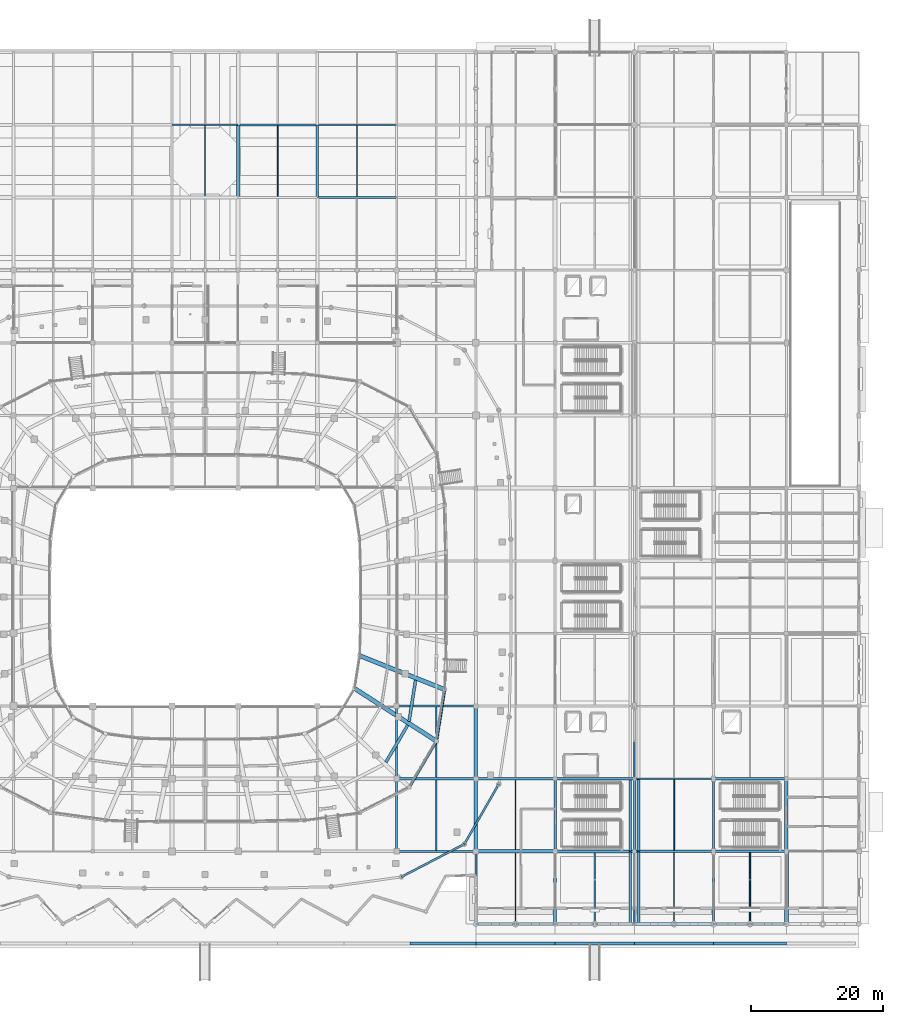
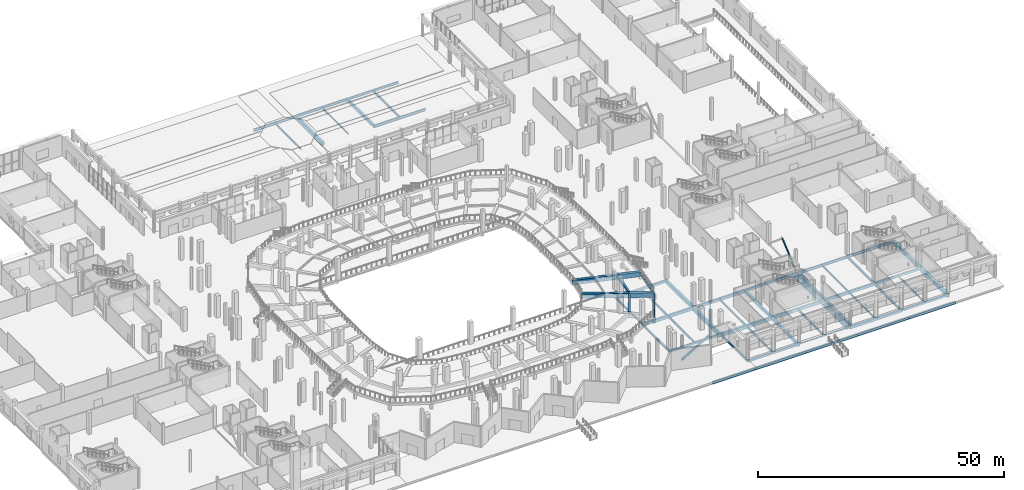
# One storey, part 30 of 120: 62 beams, 1 member.
"""IFC4 building model written with IfcOpenShell, lengths in metres."""

from ifc_helpers import new_model, si_unit, direction, frame, origin, origin_2d, place, context, subcontext, project, spatial, rectangle, hollow_rectangle, i_section, extrude, material, material_profile, profile_set, type_object, element, save


model = new_model("IFC4")

# Units and contexts
model_context = context("Model", 3, precision=1e-05, world=origin(), true_north=direction((0.0, 1.0)))
body_context = subcontext(model_context, "Body", "Model", "MODEL_VIEW")
ifc_project = project(units=[si_unit("LENGTHUNIT", "METRE"), si_unit("AREAUNIT", "SQUARE_METRE"), si_unit("VOLUMEUNIT", "CUBIC_METRE"), si_unit("PLANEANGLEUNIT", "RADIAN"), si_unit("MASSUNIT", "GRAM", prefix="KILO")], contexts=[model_context])

# Site, building, storey
site_placement = place(None, origin())
site = spatial("IfcSite", under=ifc_project, at=site_placement, CompositionType="ELEMENT")
building_placement = place(site_placement, origin())
building = spatial("IfcBuilding", under=site, at=building_placement, Name="Luwafu Chhajja Arena", CompositionType="ELEMENT")
storey_placement = place(building_placement, origin())
storey = spatial("IfcBuildingStorey", under=building, at=storey_placement, Name="L00", CompositionType="ELEMENT", Elevation=0.0)

# Beams
ifc_material_1 = material(Name="Concrete C35/45", Category="concrete")
ifc_material_profile_1 = material_profile(ifc_material_1, rectangle(XDim=0.35009765625, YDim=0.60009765625, at=origin_2d()), Name="RC 350x600")
ifc_profile_set_1 = profile_set([ifc_material_profile_1], Name="Concrete C35/45")
beam_type_1 = type_object("IfcBeamType", Name="Arcade Tie Beam RC 350x600", PredefinedType="BEAM", material=ifc_profile_set_1)
for number, where, z_axis, x_axis, name in (
    (1, (128.0, 33.0, -0.64990234375), (1.0, 0.0, 0.0), (0.0, 1.0, 0.0), "L00 Grid Beam 12-13/D"),
    (2, (152.0, 22.0, -0.64990234375), (1.0, 0.0, 0.0), (0.0, 1.0, 0.0), "L00 Grid Beam 14-15/C"),
):
    element("IfcBeam", number, at=place(storey_placement, frame(where, z_axis=z_axis, x_axis=x_axis)), inside=storey, type_object=beam_type_1, Name=name, PredefinedType="BEAM", context=body_context, shape_type="SweptSolid", body=[
        extrude(rectangle(XDim=0.35009765625, YDim=0.60009765625, at=origin_2d()), origin(), (0.0, 0.0, 1.0), 12.0),
    ])
beam_1_placement = place(storey_placement, frame((176.0, 11.0, -0.64990234375), z_axis=(1.0, 0.0, 0.0), x_axis=(0.0, 1.0, 0.0)))
element("IfcBeam", 3, at=beam_1_placement, inside=storey, type_object=beam_type_1, Name="L00 Grid Beam 16-17/B", PredefinedType="BEAM", context=body_context, shape_type="SweptSolid", body=[
    extrude(rectangle(XDim=0.35009765625, YDim=0.60009765625, at=origin_2d()), origin(), (0.0, 0.0, 1.0), 11.0),
])
ifc_material_2 = material(Name="Precast concrete C40/50", Category="concrete")
ifc_material_profile_2 = material_profile(ifc_material_2, rectangle(XDim=0.449951171875, YDim=0.64990234375, at=origin_2d()), Name="RC 450x650")
ifc_profile_set_2 = profile_set([ifc_material_profile_2], Name="Precast concrete C40/50")
beam_type_2 = type_object("IfcBeamType", Name="Bowl Tier Ring Beam RC 450x650", PredefinedType="BEAM", material=ifc_profile_set_2)
beam_2_placement = place(storey_placement, frame((126.371337890625, 24.496337890625, 1.304931640625), z_axis=(0.507802544164, 0.861473491258, 0.0), x_axis=(-0.861473491258, 0.507802544164, 0.0)))
element("IfcBeam", 4, at=beam_2_placement, inside=storey, type_object=beam_type_2, Name="Lower Tier Ring Beam S29-B3", PredefinedType="BEAM", context=body_context, shape_type="SweptSolid", body=[
    extrude(rectangle(XDim=0.449951171875, YDim=0.64990234375, at=origin_2d()), origin(), (0.0, 0.0, 1.0), 6.516357421875),
])
beam_3_placement = place(storey_placement, frame((129.8828125, 30.674072265625, 1.304931640625), z_axis=(0.155447556013, 0.987844146275, 0.0), x_axis=(-0.987844146275, 0.155447556013, 0.0)))
element("IfcBeam", 5, at=beam_3_placement, inside=storey, type_object=beam_type_2, Name="Lower Tier Ring Beam S30-B3", PredefinedType="BEAM", context=body_context, shape_type="SweptSolid", body=[
    extrude(rectangle(XDim=0.449951171875, YDim=0.64990234375, at=origin_2d()), origin(), (0.0, 0.0, 1.0), 6.329345703125),
])
ifc_material_3 = material(Name="Steel S355", Category="steel")
ifc_material_profile_3 = material_profile(ifc_material_3, i_section(OverallWidth=0.165771484375, OverallDepth=0.306640625, WebThickness=0.006591796875, FlangeThickness=0.01171875, at=origin_2d()), Name="UB 305x165x46")
ifc_profile_set_3 = profile_set([ifc_material_profile_3], Name="Steel S355")
beam_type_3 = type_object("IfcBeamType", Name="Concourse Edge Spandrel Beam UB 305x165x46", PredefinedType="SPANDREL", material=ifc_profile_set_3)
beam_4_placement = place(storey_placement, frame((152.0, 0.0, -0.50341796875), z_axis=(1.0, 0.0, 0.0), x_axis=(0.0, 1.0, 0.0)))
element("IfcBeam", 6, at=beam_4_placement, inside=storey, type_object=beam_type_3, Name="L00 Grid Beam 14-15/A", PredefinedType="SPANDREL", context=body_context, shape_type="SweptSolid", body=[
    extrude(i_section(OverallWidth=0.165771484375, OverallDepth=0.306640625, WebThickness=0.006591796875, FlangeThickness=0.01171875, at=origin_2d()), origin(), (0.0, 0.0, 1.0), 12.0),
])
ifc_material_profile_4 = material_profile(ifc_material_1, rectangle(XDim=0.60009765625, YDim=0.89990234375, at=origin_2d()), Name="RC 600x900")
ifc_profile_set_4 = profile_set([ifc_material_profile_4], Name="Concrete C35/45")
beam_type_4 = type_object("IfcBeamType", Name="Concourse Primary Girder RC 600x900", PredefinedType="BEAM", material=ifc_profile_set_4)
beam_5_placement = place(storey_placement, frame((187.0, 0.0, -0.800048828125), z_axis=(0.0, 1.0, 0.0), x_axis=(-1.0, 0.0, 0.0)))
element("IfcBeam", 7, at=beam_5_placement, inside=storey, type_object=beam_type_4, Name="L00 Grid Beam 17/A-B", PredefinedType="BEAM", context=body_context, shape_type="SweptSolid", body=[
    extrude(rectangle(XDim=0.60009765625, YDim=0.89990234375, at=origin_2d()), origin(), (0.0, 0.0, 1.0), 11.0),
])
ifc_material_profile_5 = material_profile(ifc_material_1, rectangle(XDim=0.550048828125, YDim=0.949951171875, at=origin_2d()), Name="RC 550x950")
ifc_profile_set_5 = profile_set([ifc_material_profile_5], Name="Concrete C35/45")
beam_type_5 = type_object("IfcBeamType", Name="Concourse Radial Girder RC 550x950", PredefinedType="BEAM", material=ifc_profile_set_5)
for number, where, z_axis, x_axis, name in (
    (8, (104.0, 110.0, -0.824951171875), (0.0, 1.0, 0.0), (-1.0, 0.0, 0.0), "L00 Grid Beam 10/L-M"),
    (9, (140.0, 11.0, -0.824951171875), (0.0, 1.0, 0.0), (-1.0, 0.0, 0.0), "L00 Grid Beam 13/B-C"),
    (10, (187.0, 11.0, -0.824951171875), (0.0, 1.0, 0.0), (-1.0, 0.0, 0.0), "L00 Grid Beam 17/B-C"),
):
    element("IfcBeam", number, at=place(storey_placement, frame(where, z_axis=z_axis, x_axis=x_axis)), inside=storey, type_object=beam_type_5, Name=name, PredefinedType="BEAM", context=body_context, shape_type="SweptSolid", body=[
        extrude(rectangle(XDim=0.550048828125, YDim=0.949951171875, at=origin_2d()), origin(), (0.0, 0.0, 1.0), 11.0),
    ])

# Member
ifc_material_profile_6 = material_profile(ifc_material_3, hollow_rectangle(XDim=0.25, YDim=0.25, WallThickness=0.011962890625, at=origin_2d()), Name="SHS 250x250x12")
ifc_profile_set_6 = profile_set([ifc_material_profile_6], Name="Steel S355")
member_type = type_object("IfcMemberType", Name="Core Frame Brace SHS 250", PredefinedType="BRACE", material=ifc_profile_set_6)
member_placement = place(storey_placement, frame((164.0, 22.0, 0.1201171875), z_axis=(0.0, 0.763656234515, 0.645623075398), x_axis=(-1.0, 0.0, 0.0)))
element("IfcMember", 11, at=member_placement, inside=storey, type_object=member_type, Name="L00 Lateral Chevron Brace 07A", PredefinedType="BRACE", context=body_context, shape_type="SweptSolid", body=[
    extrude(hollow_rectangle(XDim=0.25, YDim=0.25, WallThickness=0.011962890625, at=origin_2d()), origin(), (0.0, 0.0, 1.0), 7.2021484375),
])

# Beams
ifc_material_profile_7 = material_profile(ifc_material_3, i_section(OverallWidth=0.15283203125, OverallDepth=0.45458984375, WebThickness=0.008056640625, FlangeThickness=0.01318359375, at=origin_2d()), Name="UB 457x152x60")
ifc_profile_set_7 = profile_set([ifc_material_profile_7], Name="Steel S355")
beam_type_6 = type_object("IfcBeamType", Name="Floor Joist UB 457x152x60", PredefinedType="JOIST", material=ifc_profile_set_7)
beam_6_placement = place(storey_placement, frame((110.0, 110.175048828125, -0.577392578125), z_axis=(0.0, 1.0, 0.0), x_axis=(-1.0, 0.0, 0.0)))
element("IfcBeam", 12, at=beam_6_placement, inside=storey, type_object=beam_type_6, Name="L00 Secondary Joist 10-11/L", PredefinedType="JOIST", context=body_context, shape_type="SweptSolid", body=[
    extrude(i_section(OverallWidth=0.15283203125, OverallDepth=0.45458984375, WebThickness=0.008056640625, FlangeThickness=0.01318359375, at=origin_2d()), origin(), (0.0, 0.0, 1.0), 10.67138671875),
])
beam_7_placement = place(storey_placement, frame((170.0, 11.199951171875, -0.577392578125), z_axis=(0.0, 1.0, 0.0), x_axis=(-1.0, 0.0, 0.0)))
element("IfcBeam", 13, at=beam_7_placement, inside=storey, type_object=beam_type_6, Name="L00 Secondary Joist 15-16/B", PredefinedType="JOIST", context=body_context, shape_type="SweptSolid", body=[
    extrude(i_section(OverallWidth=0.15283203125, OverallDepth=0.45458984375, WebThickness=0.008056640625, FlangeThickness=0.01318359375, at=origin_2d()), origin(), (0.0, 0.0, 1.0), 10.673095703125),
])
beam_8_placement = place(storey_placement, frame((181.5, 0.14990234375, -0.577392578125), z_axis=(0.0, 1.0, 0.0), x_axis=(-1.0, 0.0, 0.0)))
element("IfcBeam", 14, at=beam_8_placement, inside=storey, type_object=beam_type_6, Name="L00 Secondary Joist 16-17/A", PredefinedType="JOIST", context=body_context, shape_type="SweptSolid", body=[
    extrude(i_section(OverallWidth=0.15283203125, OverallDepth=0.45458984375, WebThickness=0.008056640625, FlangeThickness=0.01318359375, at=origin_2d()), origin(), (0.0, 0.0, 1.0), 10.675048828125),
])
ifc_material_profile_8 = material_profile(ifc_material_3, i_section(OverallWidth=0.19140625, OverallDepth=0.4599609375, WebThickness=0.010009765625, FlangeThickness=0.01611328125, at=origin_2d()), Name="UB 457x191x82")
ifc_profile_set_8 = profile_set([ifc_material_profile_8], Name="Steel S355")
beam_type_7 = type_object("IfcBeamType", Name="Floor Joist UB 457x191x82", PredefinedType="JOIST", material=ifc_profile_set_8)
beam_9_placement = place(storey_placement, frame((99.0, 110.199951171875, -0.580078125), z_axis=(0.0, 1.0, 0.0), x_axis=(-1.0, 0.0, 0.0)))
element("IfcBeam", 15, at=beam_9_placement, inside=storey, type_object=beam_type_7, Name="L00 Secondary Joist 9-10/L", PredefinedType="JOIST", context=body_context, shape_type="SweptSolid", body=[
    extrude(i_section(OverallWidth=0.19140625, OverallDepth=0.4599609375, WebThickness=0.010009765625, FlangeThickness=0.01611328125, at=origin_2d()), origin(), (0.0, 0.0, 1.0), 10.673095703125),
])
beam_10_placement = place(storey_placement, frame((170.0, 0.199951171875, -0.580078125), z_axis=(0.0, 1.0, 0.0), x_axis=(-1.0, 0.0, 0.0)))
element("IfcBeam", 16, at=beam_10_placement, inside=storey, type_object=beam_type_7, Name="L00 Secondary Joist 15-16/A", PredefinedType="JOIST", context=body_context, shape_type="SweptSolid", body=[
    extrude(i_section(OverallWidth=0.19140625, OverallDepth=0.4599609375, WebThickness=0.010009765625, FlangeThickness=0.01611328125, at=origin_2d()), origin(), (0.0, 0.0, 1.0), 10.60009765625),
])
ifc_material_profile_9 = material_profile(ifc_material_3, i_section(OverallWidth=0.2099609375, OverallDepth=0.53662109375, WebThickness=0.0107421875, FlangeThickness=0.017333984375, at=origin_2d()), Name="UB 533x210x101")
ifc_profile_set_9 = profile_set([ifc_material_profile_9], Name="Steel S355")
beam_type_8 = type_object("IfcBeamType", Name="Floor Joist UB 533x210x101", PredefinedType="JOIST", material=ifc_profile_set_9)
beam_11_placement = place(storey_placement, frame((122.0, 110.126953125, -0.618408203125), z_axis=(0.0, 1.0, 0.0), x_axis=(-1.0, 0.0, 0.0)))
element("IfcBeam", 17, at=beam_11_placement, inside=storey, type_object=beam_type_8, Name="L00 Secondary Joist 11-12/L", PredefinedType="JOIST", context=body_context, shape_type="SweptSolid", body=[
    extrude(i_section(OverallWidth=0.2099609375, OverallDepth=0.53662109375, WebThickness=0.0107421875, FlangeThickness=0.017333984375, at=origin_2d()), origin(), (0.0, 0.0, 1.0), 10.758544921875),
])
beam_12_placement = place(storey_placement, frame((134.0, 11.14990234375, -0.618408203125), z_axis=(0.0, 1.0, 0.0), x_axis=(-1.0, 0.0, 0.0)))
element("IfcBeam", 18, at=beam_12_placement, inside=storey, type_object=beam_type_8, Name="L00 Secondary Joist 12-13/B", PredefinedType="JOIST", context=body_context, shape_type="SweptSolid", body=[
    extrude(i_section(OverallWidth=0.2099609375, OverallDepth=0.53662109375, WebThickness=0.0107421875, FlangeThickness=0.017333984375, at=origin_2d()), origin(), (0.0, 0.0, 1.0), 10.625),
])
beam_13_placement = place(storey_placement, frame((146.0, 0.14990234375, -0.618408203125), z_axis=(0.0, 1.0, 0.0), x_axis=(-1.0, 0.0, 0.0)))
element("IfcBeam", 19, at=beam_13_placement, inside=storey, type_object=beam_type_8, Name="L00 Secondary Joist 13-14/A", PredefinedType="JOIST", context=body_context, shape_type="SweptSolid", body=[
    extrude(i_section(OverallWidth=0.2099609375, OverallDepth=0.53662109375, WebThickness=0.0107421875, FlangeThickness=0.017333984375, at=origin_2d()), origin(), (0.0, 0.0, 1.0), 10.60009765625),
])
ifc_material_profile_10 = material_profile(ifc_material_3, i_section(OverallWidth=0.209228515625, OverallDepth=0.533203125, WebThickness=0.010009765625, FlangeThickness=0.015625, at=origin_2d()), Name="UB 533x210x92")
ifc_profile_set_10 = profile_set([ifc_material_profile_10], Name="Steel S355")
beam_type_9 = type_object("IfcBeamType", Name="Floor Joist UB 533x210x92", PredefinedType="JOIST", material=ifc_profile_set_10)
beam_14_placement = place(storey_placement, frame((134.0, 22.22509765625, -0.616455078125), z_axis=(0.0, 1.0, 0.0), x_axis=(-1.0, 0.0, 0.0)))
element("IfcBeam", 20, at=beam_14_placement, inside=storey, type_object=beam_type_9, Name="L00 Secondary Joist 12-13/C", PredefinedType="JOIST", context=body_context, shape_type="SweptSolid", body=[
    extrude(i_section(OverallWidth=0.209228515625, OverallDepth=0.533203125, WebThickness=0.010009765625, FlangeThickness=0.015625, at=origin_2d()), origin(), (0.0, 0.0, 1.0), 10.599853515625),
])
beam_15_placement = place(storey_placement, frame((146.0, 11.25, -0.616455078125), z_axis=(0.0, 1.0, 0.0), x_axis=(-1.0, 0.0, 0.0)))
element("IfcBeam", 21, at=beam_15_placement, inside=storey, type_object=beam_type_9, Name="L00 Secondary Joist 13-14/B", PredefinedType="JOIST", context=body_context, shape_type="SweptSolid", body=[
    extrude(i_section(OverallWidth=0.209228515625, OverallDepth=0.533203125, WebThickness=0.010009765625, FlangeThickness=0.015625, at=origin_2d()), origin(), (0.0, 0.0, 1.0), 10.550048828125),
])
beam_16_placement = place(storey_placement, frame((158.0, 0.082763671875, -0.616455078125), z_axis=(0.0, 1.0, 0.0), x_axis=(-1.0, 0.0, 0.0)))
element("IfcBeam", 22, at=beam_16_placement, inside=storey, type_object=beam_type_9, Name="L00 Secondary Joist 14-15/A", PredefinedType="JOIST", context=body_context, shape_type="SweptSolid", body=[
    extrude(i_section(OverallWidth=0.209228515625, OverallDepth=0.533203125, WebThickness=0.010009765625, FlangeThickness=0.015625, at=origin_2d()), origin(), (0.0, 0.0, 1.0), 10.692138671875),
])
ifc_material_profile_11 = material_profile(ifc_material_1, rectangle(XDim=0.5, YDim=0.800048828125, at=origin_2d()), Name="RC 500x800")
ifc_profile_set_11 = profile_set([ifc_material_profile_11], Name="Concrete C35/45")
beam_type_10 = type_object("IfcBeamType", Name="Hospitality Primary Beam RC 500x800", PredefinedType="BEAM", material=ifc_profile_set_11)
beam_17_placement = place(storey_placement, frame((140.0, 11.0, -0.75), z_axis=(1.0, 0.0, 0.0), x_axis=(0.0, 1.0, 0.0)))
element("IfcBeam", 23, at=beam_17_placement, inside=storey, type_object=beam_type_10, Name="L00 Grid Beam 13-14/B", PredefinedType="BEAM", context=body_context, shape_type="SweptSolid", body=[
    extrude(rectangle(XDim=0.5, YDim=0.800048828125, at=origin_2d()), origin(), (0.0, 0.0, 1.0), 12.0),
])
beam_18_placement = place(storey_placement, frame((140.0, 22.0, -0.75), z_axis=(0.0, 1.0, 0.0), x_axis=(-1.0, 0.0, 0.0)))
element("IfcBeam", 24, at=beam_18_placement, inside=storey, type_object=beam_type_10, Name="L00 Grid Beam 13/C-D", PredefinedType="BEAM", context=body_context, shape_type="SweptSolid", body=[
    extrude(rectangle(XDim=0.5, YDim=0.800048828125, at=origin_2d()), origin(), (0.0, 0.0, 1.0), 11.0),
])
ifc_material_profile_12 = material_profile(ifc_material_3, hollow_rectangle(XDim=0.300048828125, YDim=0.5, WallThickness=0.02001953125, at=origin_2d()), Name="RHS 500x300x20")
ifc_profile_set_12 = profile_set([ifc_material_profile_12], Name="Steel S355")
beam_type_11 = type_object("IfcBeamType", Name="Pleated Drum Spandrel Beam RHS 500x300", PredefinedType="SPANDREL", material=ifc_profile_set_12)
for number, where, z_axis, x_axis, name in (
    (25, (128.0, 11.0, -0.60009765625), (1.0, 0.0, 0.0), (0.0, 1.0, 0.0), "L00 Grid Beam 12-13/B"),
    (26, (140.0, 0.0, -0.60009765625), (1.0, 0.0, 0.0), (0.0, 1.0, 0.0), "L00 Grid Beam 13-14/A"),
):
    element("IfcBeam", number, at=place(storey_placement, frame(where, z_axis=z_axis, x_axis=x_axis)), inside=storey, type_object=beam_type_11, Name=name, PredefinedType="SPANDREL", context=body_context, shape_type="SweptSolid", body=[
        extrude(hollow_rectangle(XDim=0.300048828125, YDim=0.5, WallThickness=0.02001953125, at=origin_2d()), origin(), (0.0, 0.0, 1.0), 12.0),
    ])
for number, where, z_axis, x_axis, name in (
    (27, (176.0, 0.0, -0.60009765625), (1.0, 0.0, 0.0), (0.0, 1.0, 0.0), "L00 Grid Beam 16-17/A"),
    (28, (140.0, 0.0, -0.60009765625), (0.0, 1.0, 0.0), (-1.0, 0.0, 0.0), "L00 Grid Beam 13/A-B"),
):
    element("IfcBeam", number, at=place(storey_placement, frame(where, z_axis=z_axis, x_axis=x_axis)), inside=storey, type_object=beam_type_11, Name=name, PredefinedType="SPANDREL", context=body_context, shape_type="SweptSolid", body=[
        extrude(hollow_rectangle(XDim=0.300048828125, YDim=0.5, WallThickness=0.02001953125, at=origin_2d()), origin(), (0.0, 0.0, 1.0), 11.0),
    ])
beam_19_placement = place(storey_placement, frame((128.718017578125, 7.13720703125, -0.60009765625), z_axis=(0.886755170812, 0.462239404463, 0.0), x_axis=(-0.462239404463, 0.886755170812, 0.0)))
element("IfcBeam", 29, at=beam_19_placement, inside=storey, type_object=beam_type_11, Name="L00 Drum Ring Spandrel D28-D29", PredefinedType="SPANDREL", context=body_context, shape_type="SweptSolid", body=[
    extrude(hollow_rectangle(XDim=0.300048828125, YDim=0.5, WallThickness=0.02001953125, at=origin_2d()), origin(), (0.0, 0.0, 1.0), 10.756103515625),
])
beam_20_placement = place(storey_placement, frame((138.256103515625, 12.109130859375, -0.60009765625), z_axis=(0.498192671921, 0.867066353657, 0.0), x_axis=(-0.867066353657, 0.498192671921, 0.0)))
element("IfcBeam", 30, at=beam_20_placement, inside=storey, type_object=beam_type_11, Name="L00 Drum Ring Spandrel D29-D30", PredefinedType="SPANDREL", context=body_context, shape_type="SweptSolid", body=[
    extrude(hollow_rectangle(XDim=0.300048828125, YDim=0.5, WallThickness=0.02001953125, at=origin_2d()), origin(), (0.0, 0.0, 1.0), 10.477783203125),
])
ifc_material_profile_13 = material_profile(ifc_material_1, rectangle(XDim=0.39990234375, YDim=0.60009765625, at=origin_2d()), Name="RC 400x600")
ifc_profile_set_13 = profile_set([ifc_material_profile_13], Name="Concrete C35/45")
beam_type_12 = type_object("IfcBeamType", Name="Podium Perimeter Spandrel RC 400x600", PredefinedType="SPANDREL", material=ifc_profile_set_13)
beam_21_placement = place(storey_placement, frame((164.0, 0.0, -0.64990234375), z_axis=(1.0, 0.0, 0.0), x_axis=(0.0, 1.0, 0.0)))
element("IfcBeam", 31, at=beam_21_placement, inside=storey, type_object=beam_type_12, Name="L00 Grid Beam 15-16/A", PredefinedType="SPANDREL", context=body_context, shape_type="SweptSolid", body=[
    extrude(rectangle(XDim=0.39990234375, YDim=0.60009765625, at=origin_2d()), origin(), (0.0, 0.0, 1.0), 12.0),
])
for number, where, z_axis, x_axis, name in (
    (32, (163.3798828125, 0.080078125, -0.64990234375), (0.0, 1.0, 0.0), (-1.0, 0.0, 0.0), "L00 Movement Joint MJ2W Seat Girder 00"),
    (33, (163.3798828125, 11.080078125, -0.64990234375), (0.0, 1.0, 0.0), (-1.0, 0.0, 0.0), "L00 Movement Joint MJ2W Seat Girder 01"),
    (34, (164.6201171875, 0.080078125, -0.64990234375), (0.0, 1.0, 0.0), (-1.0, 0.0, 0.0), "L00 Movement Joint MJ2E Seat Girder 00"),
    (35, (164.6201171875, 11.080078125, -0.64990234375), (0.0, 1.0, 0.0), (-1.0, 0.0, 0.0), "L00 Movement Joint MJ2E Seat Girder 01"),
):
    element("IfcBeam", number, at=place(storey_placement, frame(where, z_axis=z_axis, x_axis=x_axis)), inside=storey, type_object=beam_type_12, Name=name, PredefinedType="SPANDREL", context=body_context, shape_type="SweptSolid", body=[
        extrude(rectangle(XDim=0.39990234375, YDim=0.60009765625, at=origin_2d()), origin(), (0.0, 0.0, 1.0), 10.83984375),
    ])
beam_22_placement = place(storey_placement, frame((130.0, -2.949951171875, -0.659912109375), z_axis=(1.0, 0.0, 0.0), x_axis=(0.0, 1.0, 0.0)))
element("IfcBeam", 36, at=beam_22_placement, inside=storey, type_object=beam_type_12, Name="L00 Forecourt Plinth Edge Beam 13", PredefinedType="SPANDREL", context=body_context, shape_type="SweptSolid", body=[
    extrude(rectangle(XDim=0.39990234375, YDim=0.60009765625, at=origin_2d()), origin(), (0.0, 0.0, 1.0), 10.0),
])
for number, where, z_axis, x_axis, name in (
    (37, (140.0, -2.949951171875, -0.659912109375), (1.0, 0.0, 0.0), (0.0, 1.0, 0.0), "L00 Forecourt Plinth Edge Beam 14"),
    (38, (152.0, -2.949951171875, -0.659912109375), (1.0, 0.0, 0.0), (0.0, 1.0, 0.0), "L00 Forecourt Plinth Edge Beam 15"),
    (39, (164.0, -2.949951171875, -0.659912109375), (1.0, 0.0, 0.0), (0.0, 1.0, 0.0), "L00 Forecourt Plinth Edge Beam 16"),
):
    element("IfcBeam", number, at=place(storey_placement, frame(where, z_axis=z_axis, x_axis=x_axis)), inside=storey, type_object=beam_type_12, Name=name, PredefinedType="SPANDREL", context=body_context, shape_type="SweptSolid", body=[
        extrude(rectangle(XDim=0.39990234375, YDim=0.60009765625, at=origin_2d()), origin(), (0.0, 0.0, 1.0), 12.0),
    ])
beam_23_placement = place(storey_placement, frame((176.0, -2.949951171875, -0.659912109375), z_axis=(1.0, 0.0, 0.0), x_axis=(0.0, 1.0, 0.0)))
element("IfcBeam", 40, at=beam_23_placement, inside=storey, type_object=beam_type_12, Name="L00 Forecourt Plinth Edge Beam 17", PredefinedType="SPANDREL", context=body_context, shape_type="SweptSolid", body=[
    extrude(rectangle(XDim=0.39990234375, YDim=0.60009765625, at=origin_2d()), origin(), (0.0, 0.0, 1.0), 11.0),
])
ifc_material_4 = material(Name="Precast concrete C45/55", Category="concrete")
ifc_material_profile_14 = material_profile(ifc_material_4, rectangle(XDim=0.64990234375, YDim=1.10009765625, at=origin_2d()), Name="PC 650x1100")
ifc_profile_set_14 = profile_set([ifc_material_profile_14], Name="Precast concrete C45/55")
beam_type_13 = type_object("IfcBeamType", Name="Precast Lower Bowl Raker PC 650x1100", PredefinedType="USERDEFINED", material=ifc_profile_set_14)
beam_24_placement = place(storey_placement, frame((121.57421875, 35.7001953125, 0.530029296875), z_axis=(0.840387777065, -0.539934770629, 0.047104433174), x_axis=(0.540534780395, 0.84132166927, 0.0)))
element("IfcBeam", 41, at=beam_24_placement, inside=storey, type_object=beam_type_13, Name="Lower Bowl Raker RKR-L30", ObjectType="RAKER", PredefinedType="USERDEFINED", context=body_context, shape_type="SweptSolid", body=[
    extrude(rectangle(XDim=0.64990234375, YDim=1.10009765625, at=origin_2d()), origin(), (0.0, 0.0, 1.0), 14.859619140625),
])
beam_25_placement = place(storey_placement, frame((122.364013671875, 40.64599609375, 0.530029296875), z_axis=(0.927852740842, -0.369546185128, 0.050248466339), x_axis=(0.370013605587, 0.9290263353, 0.0)))
element("IfcBeam", 42, at=beam_25_placement, inside=storey, type_object=beam_type_13, Name="Lower Bowl Raker RKR-L31", ObjectType="RAKER", PredefinedType="USERDEFINED", context=body_context, shape_type="SweptSolid", body=[
    extrude(rectangle(XDim=0.64990234375, YDim=1.10009765625, at=origin_2d()), origin(), (0.0, 0.0, 1.0), 13.9296875),
])
ifc_material_profile_15 = material_profile(ifc_material_3, i_section(OverallWidth=0.300048828125, OverallDepth=0.5, WebThickness=0.014404296875, FlangeThickness=0.028076171875, at=origin_2d()), Name="HEB 500")
ifc_profile_set_15 = profile_set([ifc_material_profile_15], Name="Steel S355")
beam_type_14 = type_object("IfcBeamType", Name="Steel Atrium Tie Girder HEB 500", PredefinedType="BEAM", material=ifc_profile_set_15)
for number, where, z_axis, x_axis, name in (
    (43, (128.0, 11.0, -0.60009765625), (0.0, 1.0, 0.0), (-1.0, 0.0, 0.0), "L00 Grid Beam 12/B-C"),
    (44, (176.0, 11.0, -0.60009765625), (0.0, 1.0, 0.0), (-1.0, 0.0, 0.0), "L00 Grid Beam 16/B-C"),
):
    element("IfcBeam", number, at=place(storey_placement, frame(where, z_axis=z_axis, x_axis=x_axis)), inside=storey, type_object=beam_type_14, Name=name, PredefinedType="BEAM", context=body_context, shape_type="SweptSolid", body=[
        extrude(i_section(OverallWidth=0.300048828125, OverallDepth=0.5, WebThickness=0.014404296875, FlangeThickness=0.028076171875, at=origin_2d()), origin(), (0.0, 0.0, 1.0), 11.0),
    ])
ifc_material_profile_16 = material_profile(ifc_material_3, i_section(OverallWidth=0.253662109375, OverallDepth=0.68359375, WebThickness=0.012451171875, FlangeThickness=0.01904296875, at=origin_2d()), Name="UB 686x254x140")
ifc_profile_set_16 = profile_set([ifc_material_profile_16], Name="Steel S355")
beam_type_15 = type_object("IfcBeamType", Name="Steel Concourse Girder UB 686x254x140", PredefinedType="BEAM", material=ifc_profile_set_16)
beam_26_placement = place(storey_placement, frame((94.0, 121.0, -0.691650390625), z_axis=(1.0, 0.0, 0.0), x_axis=(0.0, 1.0, 0.0)))
element("IfcBeam", 45, at=beam_26_placement, inside=storey, type_object=beam_type_15, Name="L00 Grid Beam 9-10/M", PredefinedType="BEAM", context=body_context, shape_type="SweptSolid", body=[
    extrude(i_section(OverallWidth=0.253662109375, OverallDepth=0.68359375, WebThickness=0.012451171875, FlangeThickness=0.01904296875, at=origin_2d()), origin(), (0.0, 0.0, 1.0), 10.0),
])
for number, where, z_axis, x_axis, name in (
    (46, (116.0, 110.0, -0.691650390625), (1.0, 0.0, 0.0), (0.0, 1.0, 0.0), "L00 Grid Beam 11-12/L"),
    (47, (164.0, 22.0, -0.691650390625), (1.0, 0.0, 0.0), (0.0, 1.0, 0.0), "L00 Grid Beam 15-16/C"),
):
    element("IfcBeam", number, at=place(storey_placement, frame(where, z_axis=z_axis, x_axis=x_axis)), inside=storey, type_object=beam_type_15, Name=name, PredefinedType="BEAM", context=body_context, shape_type="SweptSolid", body=[
        extrude(i_section(OverallWidth=0.253662109375, OverallDepth=0.68359375, WebThickness=0.012451171875, FlangeThickness=0.01904296875, at=origin_2d()), origin(), (0.0, 0.0, 1.0), 12.0),
    ])
beam_27_placement = place(storey_placement, frame((164.0, 0.0, -0.691650390625), z_axis=(0.0, 1.0, 0.0), x_axis=(-1.0, 0.0, 0.0)))
element("IfcBeam", 48, at=beam_27_placement, inside=storey, type_object=beam_type_15, Name="L00 Grid Beam 15/A-B", PredefinedType="BEAM", context=body_context, shape_type="SweptSolid", body=[
    extrude(i_section(OverallWidth=0.253662109375, OverallDepth=0.68359375, WebThickness=0.012451171875, FlangeThickness=0.01904296875, at=origin_2d()), origin(), (0.0, 0.0, 1.0), 11.0),
])
ifc_material_profile_17 = material_profile(ifc_material_3, i_section(OverallWidth=0.300048828125, OverallDepth=0.60009765625, WebThickness=0.015380859375, FlangeThickness=0.030029296875, at=origin_2d()), Name="HEB 600")
ifc_profile_set_17 = profile_set([ifc_material_profile_17], Name="Steel S355")
beam_type_16 = type_object("IfcBeamType", Name="Steel Gallery Girder HEB 600", PredefinedType="BEAM", material=ifc_profile_set_17)
beam_28_placement = place(storey_placement, frame((176.0, 0.0, -0.64990234375), z_axis=(0.0, 1.0, 0.0), x_axis=(-1.0, 0.0, 0.0)))
element("IfcBeam", 49, at=beam_28_placement, inside=storey, type_object=beam_type_16, Name="L00 Grid Beam 16/A-B", PredefinedType="BEAM", context=body_context, shape_type="SweptSolid", body=[
    extrude(i_section(OverallWidth=0.300048828125, OverallDepth=0.60009765625, WebThickness=0.015380859375, FlangeThickness=0.030029296875, at=origin_2d()), origin(), (0.0, 0.0, 1.0), 11.0),
])
ifc_material_profile_18 = material_profile(ifc_material_3, i_section(OverallWidth=0.30712890625, OverallDepth=0.6201171875, WebThickness=0.01416015625, FlangeThickness=0.023681640625, at=origin_2d()), Name="UB 610x305x179")
ifc_profile_set_18 = profile_set([ifc_material_profile_18], Name="Steel S355")
beam_type_17 = type_object("IfcBeamType", Name="Steel Hospitality Girder UB 610x305x179", PredefinedType="BEAM", material=ifc_profile_set_18)
beam_29_placement = place(storey_placement, frame((104.0, 121.0, -0.66015625), z_axis=(1.0, 0.0, 0.0), x_axis=(0.0, 1.0, 0.0)))
element("IfcBeam", 50, at=beam_29_placement, inside=storey, type_object=beam_type_17, Name="L00 Grid Beam 10-11/M", PredefinedType="BEAM", context=body_context, shape_type="SweptSolid", body=[
    extrude(i_section(OverallWidth=0.30712890625, OverallDepth=0.6201171875, WebThickness=0.01416015625, FlangeThickness=0.023681640625, at=origin_2d()), origin(), (0.0, 0.0, 1.0), 12.0),
])
for number, where, z_axis, x_axis, name in (
    (51, (176.0, 22.0, -0.66015625), (1.0, 0.0, 0.0), (0.0, 1.0, 0.0), "L00 Grid Beam 16-17/C"),
    (52, (164.0, 11.0, -0.66015625), (0.0, 1.0, 0.0), (-1.0, 0.0, 0.0), "L00 Grid Beam 15/B-C"),
):
    element("IfcBeam", number, at=place(storey_placement, frame(where, z_axis=z_axis, x_axis=x_axis)), inside=storey, type_object=beam_type_17, Name=name, PredefinedType="BEAM", context=body_context, shape_type="SweptSolid", body=[
        extrude(i_section(OverallWidth=0.30712890625, OverallDepth=0.6201171875, WebThickness=0.01416015625, FlangeThickness=0.023681640625, at=origin_2d()), origin(), (0.0, 0.0, 1.0), 11.0),
    ])
ifc_material_profile_19 = material_profile(ifc_material_3, i_section(OverallWidth=0.22900390625, OverallDepth=0.6123046875, WebThickness=0.011962890625, FlangeThickness=0.01953125, at=origin_2d()), Name="UB 610x229x125")
ifc_profile_set_19 = profile_set([ifc_material_profile_19], Name="Steel S355")
beam_type_18 = type_object("IfcBeamType", Name="Steel Mezzanine Girder UB 610x229x125", PredefinedType="BEAM", material=ifc_profile_set_19)
beam_30_placement = place(storey_placement, frame((116.0, 121.0, -0.656005859375), z_axis=(1.0, 0.0, 0.0), x_axis=(0.0, 1.0, 0.0)))
element("IfcBeam", 53, at=beam_30_placement, inside=storey, type_object=beam_type_18, Name="L00 Grid Beam 11-12/M", PredefinedType="BEAM", context=body_context, shape_type="SweptSolid", body=[
    extrude(i_section(OverallWidth=0.22900390625, OverallDepth=0.6123046875, WebThickness=0.011962890625, FlangeThickness=0.01953125, at=origin_2d()), origin(), (0.0, 0.0, 1.0), 12.0),
])
ifc_material_profile_20 = material_profile(ifc_material_3, i_section(OverallWidth=0.300048828125, OverallDepth=0.39990234375, WebThickness=0.013427734375, FlangeThickness=0.02392578125, at=origin_2d()), Name="HEB 400")
ifc_profile_set_20 = profile_set([ifc_material_profile_20], Name="Steel S355")
beam_type_19 = type_object("IfcBeamType", Name="Steel Rigging Grid Beam HEB 400", PredefinedType="BEAM", material=ifc_profile_set_20)
beam_31_placement = place(storey_placement, frame((128.0, 22.0, -0.550048828125), z_axis=(0.0, 1.0, 0.0), x_axis=(-1.0, 0.0, 0.0)))
element("IfcBeam", 54, at=beam_31_placement, inside=storey, type_object=beam_type_19, Name="L00 Grid Beam 12/C-D", PredefinedType="BEAM", context=body_context, shape_type="SweptSolid", body=[
    extrude(i_section(OverallWidth=0.300048828125, OverallDepth=0.39990234375, WebThickness=0.013427734375, FlangeThickness=0.02392578125, at=origin_2d()), origin(), (0.0, 0.0, 1.0), 11.0),
])
ifc_material_profile_21 = material_profile(ifc_material_2, rectangle(XDim=0.300048828125, YDim=0.5, at=origin_2d()), Name="RC 300x500")
ifc_profile_set_21 = profile_set([ifc_material_profile_21], Name="Precast concrete C40/50")
beam_type_20 = type_object("IfcBeamType", Name="Tier Support Beam RC 300x500", PredefinedType="BEAM", material=ifc_profile_set_21)
beam_32_placement = place(storey_placement, frame((129.947021484375, 20.672607421875, 1.3798828125), z_axis=(0.506540670535, 0.862216068682, 0.0), x_axis=(-0.862216068682, 0.506540670535, 0.0)))
element("IfcBeam", 55, at=beam_32_placement, inside=storey, type_object=beam_type_20, Name="Lower Tier Outer Ring Beam S29", PredefinedType="BEAM", context=body_context, shape_type="SweptSolid", body=[
    extrude(rectangle(XDim=0.300048828125, YDim=0.5, at=origin_2d()), origin(), (0.0, 0.0, 1.0), 8.123779296875),
])
beam_33_placement = place(storey_placement, frame((134.06201171875, 27.677001953125, 1.3798828125), z_axis=(0.15496009699, 0.987920729786, 0.0), x_axis=(-0.987920729786, 0.15496009699, 0.0)))
element("IfcBeam", 56, at=beam_33_placement, inside=storey, type_object=beam_type_20, Name="Lower Tier Outer Ring Beam S30", PredefinedType="BEAM", context=body_context, shape_type="SweptSolid", body=[
    extrude(rectangle(XDim=0.300048828125, YDim=0.5, at=origin_2d()), origin(), (0.0, 0.0, 1.0), 7.9169921875),
])
ifc_material_profile_22 = material_profile(ifc_material_1, rectangle(XDim=0.39990234375, YDim=0.699951171875, at=origin_2d()), Name="RC 400x700")
ifc_profile_set_22 = profile_set([ifc_material_profile_22], Name="Concrete C35/45")
beam_type_21 = type_object("IfcBeamType", Name="Wing Frame Beam RC 400x700", PredefinedType="BEAM", material=ifc_profile_set_22)
for number, where, z_axis, x_axis, name in (
    (57, (140.0, 22.0, -0.699951171875), (1.0, 0.0, 0.0), (0.0, 1.0, 0.0), "L00 Grid Beam 13-14/C"),
    (58, (164.0, 11.0, -0.699951171875), (1.0, 0.0, 0.0), (0.0, 1.0, 0.0), "L00 Grid Beam 15-16/B"),
):
    element("IfcBeam", number, at=place(storey_placement, frame(where, z_axis=z_axis, x_axis=x_axis)), inside=storey, type_object=beam_type_21, Name=name, PredefinedType="BEAM", context=body_context, shape_type="SweptSolid", body=[
        extrude(rectangle(XDim=0.39990234375, YDim=0.699951171875, at=origin_2d()), origin(), (0.0, 0.0, 1.0), 12.0),
    ])
for number, where, z_axis, x_axis, name in (
    (59, (116.0, 110.0, -0.699951171875), (0.0, 1.0, 0.0), (-1.0, 0.0, 0.0), "L00 Grid Beam 11/L-M"),
    (60, (152.0, 11.0, -0.699951171875), (0.0, 1.0, 0.0), (-1.0, 0.0, 0.0), "L00 Grid Beam 14/B-C"),
):
    element("IfcBeam", number, at=place(storey_placement, frame(where, z_axis=z_axis, x_axis=x_axis)), inside=storey, type_object=beam_type_21, Name=name, PredefinedType="BEAM", context=body_context, shape_type="SweptSolid", body=[
        extrude(rectangle(XDim=0.39990234375, YDim=0.699951171875, at=origin_2d()), origin(), (0.0, 0.0, 1.0), 11.0),
    ])
ifc_material_profile_23 = material_profile(ifc_material_1, rectangle(XDim=0.449951171875, YDim=0.75, at=origin_2d()), Name="RC 450x750")
ifc_profile_set_23 = profile_set([ifc_material_profile_23], Name="Concrete C35/45")
beam_type_22 = type_object("IfcBeamType", Name="Wing Primary Beam RC 450x750", PredefinedType="BEAM", material=ifc_profile_set_23)
for number, where, z_axis, x_axis, name in (
    (61, (128.0, 22.0, -0.72509765625), (1.0, 0.0, 0.0), (0.0, 1.0, 0.0), "L00 Grid Beam 12-13/C"),
    (62, (152.0, 11.0, -0.72509765625), (1.0, 0.0, 0.0), (0.0, 1.0, 0.0), "L00 Grid Beam 14-15/B"),
):
    element("IfcBeam", number, at=place(storey_placement, frame(where, z_axis=z_axis, x_axis=x_axis)), inside=storey, type_object=beam_type_22, Name=name, PredefinedType="BEAM", context=body_context, shape_type="SweptSolid", body=[
        extrude(rectangle(XDim=0.449951171875, YDim=0.75, at=origin_2d()), origin(), (0.0, 0.0, 1.0), 12.0),
    ])
beam_34_placement = place(storey_placement, frame((152.0, 0.0, -0.72509765625), z_axis=(0.0, 1.0, 0.0), x_axis=(-1.0, 0.0, 0.0)))
element("IfcBeam", 63, at=beam_34_placement, inside=storey, type_object=beam_type_22, Name="L00 Grid Beam 14/A-B", PredefinedType="BEAM", context=body_context, shape_type="SweptSolid", body=[
    extrude(rectangle(XDim=0.449951171875, YDim=0.75, at=origin_2d()), origin(), (0.0, 0.0, 1.0), 11.0),
])

save(model, "model.ifc")
